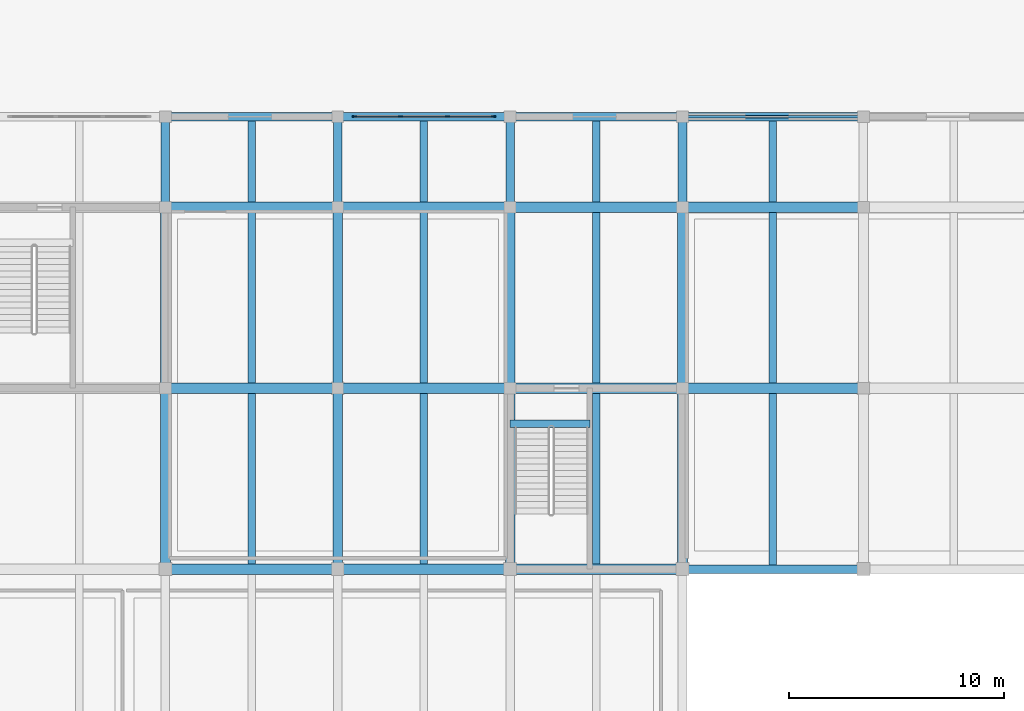
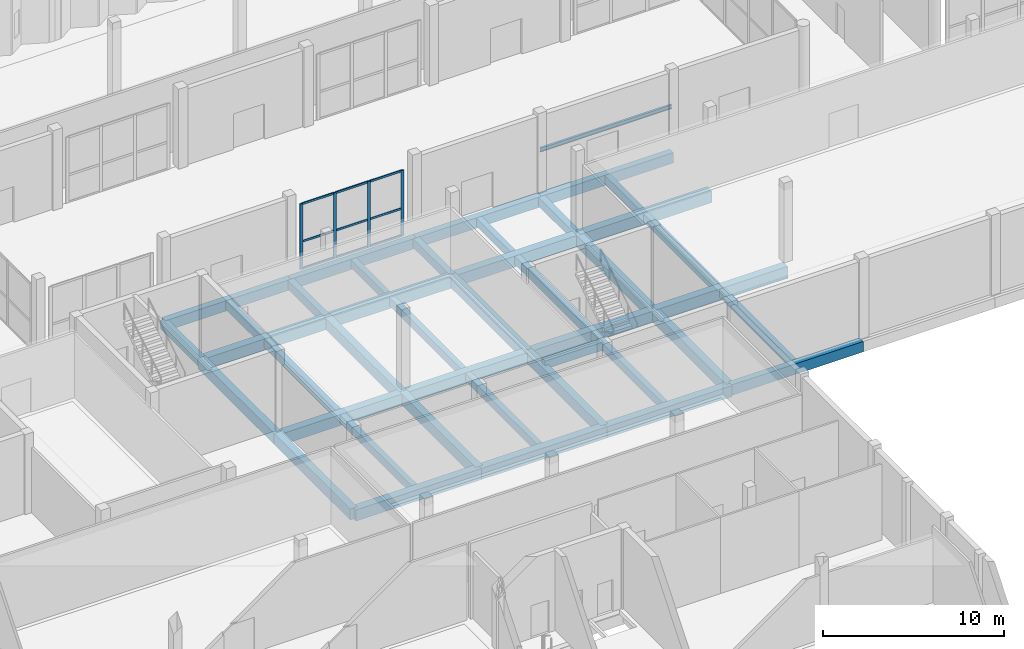
# One storey, part 11 of 41: 42 beams, 13 members, 1 element without a shape of its own.
"""IFC4 building model written with IfcOpenShell, lengths in metres."""

import ifcopenshell
import ifcopenshell.guid

model = None  # the IFC model being written
_history = None  # IfcOwnerHistory: only IFC2X3 demands one
_inside = {}  # id of a spatial element -> (the spatial element, [elements in it])
_under = {}  # id of a project, library or spatial element -> (it, [spatial elements below it])
_declared = {}  # id of a project -> (the project, [libraries it declares])
_typed = {}  # id of a type object -> (the type object, [elements of that type])
_made_of = {}  # id of a material, layer set ... -> (it, [elements and type objects made of it])


def new_model(schema):
    """Start an empty IFC model of exactly this schema.

    Asked for "IFC4X3", IfcOpenShell would pick the latest addendum, in which some entities
    have other attributes; the version numbers below select the first issue.
    IFC2X3 requires an IfcOwnerHistory on every rooted entity: one is made here for all.
    """
    global model, _history
    if schema == "IFC4X3":
        model = ifcopenshell.file(schema_version=(4, 3, 0, 0))
    else:
        model = ifcopenshell.file(schema=schema)
    _inside.clear()
    _under.clear()
    _declared.clear()
    _typed.clear()
    _made_of.clear()
    _history = None
    if model.schema == "IFC2X3":
        org = make("IfcOrganization", Name="unknown")
        user = make(
            "IfcPersonAndOrganization",
            ThePerson=make("IfcPerson", FamilyName="unknown"),
            TheOrganization=org,
        )
        app = make(
            "IfcApplication",
            ApplicationDeveloper=org,
            Version="unknown",
            ApplicationFullName="unknown",
            ApplicationIdentifier="unknown",
        )
        _history = make(
            "IfcOwnerHistory",
            OwningUser=user,
            OwningApplication=app,
            ChangeAction="ADDED",
            CreationDate=0,
        )
    return model


def make(cls, **values):
    """One entity of the class cls with the attributes given. An attribute that is None is left unset."""
    return model.create_entity(
        cls, **{name: value for name, value in values.items() if value is not None}
    )


def rooted(cls, **values):
    """An entity with a GlobalId (a new one), such as an element, a storey or a relation."""
    return make(cls, GlobalId=ifcopenshell.guid.new(), OwnerHistory=_history, **values)


def si_unit(unit_type, name, prefix=None):
    """IfcSIUnit, for example si_unit("LENGTHUNIT", "METRE", prefix="MILLI")."""
    return make("IfcSIUnit", UnitType=unit_type, Prefix=prefix, Name=name)


def assignment(units):
    """IfcUnitAssignment: the units of a project."""
    return None if units is None else make("IfcUnitAssignment", Units=units)


def point(xyz):
    """IfcCartesianPoint."""
    return None if xyz is None else make("IfcCartesianPoint", Coordinates=xyz)


def direction(xyz):
    """IfcDirection."""
    return None if xyz is None else make("IfcDirection", DirectionRatios=xyz)


def frame(location, z_axis=None, x_axis=None):
    """IfcAxis2Placement3D, a coordinate frame: its origin and axes. An axis left out is left unset."""
    return make(
        "IfcAxis2Placement3D",
        Location=point(location),
        Axis=direction(z_axis),
        RefDirection=direction(x_axis),
    )


def frame_2d(location, x_axis=None):
    """IfcAxis2Placement2D, a coordinate frame in the plane: its origin and x axis."""
    return make(
        "IfcAxis2Placement2D", Location=point(location), RefDirection=direction(x_axis)
    )


def origin():
    """The frame at (0, 0, 0) with its axes left unset."""
    return frame((0.0, 0.0, 0.0))


def origin_2d():
    """The frame at (0, 0) in the plane with its x axis left unset."""
    return frame_2d((0.0, 0.0))


def place(relative_to, where):
    """IfcLocalPlacement: puts the frame where relative to a parent placement (None: the world)."""
    return make(
        "IfcLocalPlacement", PlacementRelTo=relative_to, RelativePlacement=where
    )


def context(
    kind, dimensions, precision=None, world=None, true_north=None, identifier=None
):
    """IfcGeometricRepresentationContext, for example the 3D "Model" context."""
    return make(
        "IfcGeometricRepresentationContext",
        ContextIdentifier=identifier,
        ContextType=kind,
        CoordinateSpaceDimension=dimensions,
        Precision=precision,
        WorldCoordinateSystem=world,
        TrueNorth=true_north,
    )


def subcontext(parent, identifier, kind, view, scale=None):
    """IfcGeometricRepresentationSubContext, for example "Body" below "Model"."""
    return make(
        "IfcGeometricRepresentationSubContext",
        ContextIdentifier=identifier,
        ContextType=kind,
        ParentContext=parent,
        TargetScale=scale,
        TargetView=view,
    )


def project(units=None, contexts=None):
    """IfcProject with its units and contexts."""
    return rooted(
        "IfcProject",
        Name="project",
        RepresentationContexts=contexts,
        UnitsInContext=assignment(units),
    )


def spatial(cls, under=None, at=None, **own):
    """A site, building, storey or space (cls), placed at a placement, below another one or the project."""
    s = rooted(cls, ObjectPlacement=at, **own)
    if under is not None:
        _under.setdefault(under.id(), (under, []))[1].append(s)
    return s


def profile(cls, at=None, kind="AREA", **sizes):
    """A parametric profile (cls). Its sizes go by their IFC names, for example OverallWidth=200.0."""
    return make(cls, ProfileType=kind, Position=at, **sizes)


def rectangle(**sizes):
    """IfcRectangleProfileDef."""
    return profile("IfcRectangleProfileDef", **sizes)


def i_section(**sizes):
    """IfcIShapeProfileDef."""
    return profile("IfcIShapeProfileDef", **sizes)


def extrude(swept, where, along, depth):
    """IfcExtrudedAreaSolid: the profile swept, set in the frame where, extruded along a direction by depth."""
    return make(
        "IfcExtrudedAreaSolid",
        SweptArea=swept,
        Position=where,
        ExtrudedDirection=direction(along),
        Depth=depth,
    )


def shape(context_of_items, identifier, shape_type, items):
    """IfcShapeRepresentation: the items that make up one representation, for example the "Body"."""
    return make(
        "IfcShapeRepresentation",
        ContextOfItems=context_of_items,
        RepresentationIdentifier=identifier,
        RepresentationType=shape_type,
        Items=items,
    )


def material(Name=None, Category=None):
    """IfcMaterial."""
    return make("IfcMaterial", Name=Name, Category=Category)


def material_profile(
    of_material, cross_section, Name=None, Category=None, Priority=None
):
    """IfcMaterialProfile: a cross section and its material."""
    return make(
        "IfcMaterialProfile",
        Name=Name,
        Material=of_material,
        Profile=cross_section,
        Priority=Priority,
        Category=Category,
    )


def profile_set(profiles, Name=None, composite=None):
    """IfcMaterialProfileSet."""
    return make(
        "IfcMaterialProfileSet",
        Name=Name,
        MaterialProfiles=profiles,
        CompositeProfile=composite,
    )


def made_of(thing, what):
    """Note that an element or type object is made of a material, layer set ...; save() writes the relation."""
    if what is not None:
        _made_of.setdefault(what.id(), (what, []))[1].append(thing)
    return thing


def type_object(cls, material=None, **own):
    """A type object (cls), such as IfcWallType, which elements share."""
    return made_of(rooted(cls, **own), material)


def element(
    cls,
    number,
    at=None,
    inside=None,
    cuts=None,
    type_object=None,
    material=None,
    context=None,
    identifier="Body",
    shape_type=None,
    held_by="IfcProductDefinitionShape",
    body=None,
    shapes=None,
    **own,
):
    """One element of the class cls, such as IfcWall. Its Tag is "e" and its number.

    at: its placement. inside: the storey or other place that contains it. cuts: it is an
    opening in that element (IfcRelVoidsElement). A single representation is given by context,
    identifier, shape_type and body (its items); several are given by shapes. held_by: the class
    of the entity that holds the representations. save() writes the other relations.
    """
    e = rooted(cls, Tag="e%d" % number, ObjectPlacement=at, **own)
    if body is not None:
        shapes = [shape(context, identifier, shape_type, body)]
    if shapes is not None:
        e.Representation = make(held_by, Representations=shapes)
    if inside is not None:
        _inside.setdefault(inside.id(), (inside, []))[1].append(e)
    if cuts is not None:
        rooted(
            "IfcRelVoidsElement", RelatingBuildingElement=cuts, RelatedOpeningElement=e
        )
    if type_object is not None:
        _typed.setdefault(type_object.id(), (type_object, []))[1].append(e)
    return made_of(e, material)


def aggregate(whole, parts):
    """IfcRelAggregates: a whole, such as a stair, and the parts it consists of."""
    return rooted("IfcRelAggregates", RelatingObject=whole, RelatedObjects=parts)


def save(model, path):
    """Write the relations noted so far, then the file.

    IfcRelAggregates (storeys below a building ...), IfcRelContainedInSpatialStructure (elements
    in a storey), IfcRelDefinesByType, IfcRelAssociatesMaterial and IfcRelDeclares: one each for
    every whole, place, type object, material and project.
    """
    for whole, parts in _under.values():
        aggregate(whole, parts)
    for where, things in _inside.values():
        rooted(
            "IfcRelContainedInSpatialStructure",
            RelatedElements=things,
            RelatingStructure=where,
        )
    for kind, things in _typed.values():
        rooted("IfcRelDefinesByType", RelatedObjects=things, RelatingType=kind)
    for what, things in _made_of.values():
        rooted("IfcRelAssociatesMaterial", RelatedObjects=things, RelatingMaterial=what)
    for by, libraries in _declared.values():
        rooted("IfcRelDeclares", RelatingContext=by, RelatedDefinitions=libraries)
    model.write(path)


model = new_model("IFC4")

# Units and contexts
model_context = context("Model", 3, precision=1e-05, world=origin(), true_north=direction((0.0, 1.0)))
body_context = subcontext(model_context, "Body", "Model", "MODEL_VIEW")
ifc_project = project(units=[si_unit("LENGTHUNIT", "METRE"), si_unit("AREAUNIT", "SQUARE_METRE"), si_unit("VOLUMEUNIT", "CUBIC_METRE"), si_unit("PLANEANGLEUNIT", "RADIAN"), si_unit("MASSUNIT", "GRAM", prefix="KILO")], contexts=[model_context])

# Site, building, storey
site_placement = place(None, origin())
site = spatial("IfcSite", under=ifc_project, at=site_placement, CompositionType="ELEMENT")
building_placement = place(site_placement, origin())
building = spatial("IfcBuilding", under=site, at=building_placement, Name="Vharandega Faculty of Natural Sciences", CompositionType="ELEMENT")
storey_placement = place(building_placement, origin())
storey = spatial("IfcBuildingStorey", under=building, at=storey_placement, Name="L00", CompositionType="ELEMENT", Elevation=0.0)

# Curtain wall, members
ifc_material_1 = material(Name="Aluminium and solar-control glass curtain wall", Category="aluminium")
curtain_wall_type = type_object("IfcCurtainWallType", Name="Unitised Curtain Wall System CW-21", PredefinedType="NOTDEFINED", material=ifc_material_1)
curtain_wall_placement = place(storey_placement, origin())
curtain_wall = element("IfcCurtainWall", 1, at=curtain_wall_placement, inside=storey, type_object=curtain_wall_type, Name="Curtain Wall CW-L00-076", PredefinedType="NOTDEFINED")
ifc_material_2 = material(Name="Thermally broken aluminium 6063-T6", Category="aluminium")
ifc_material_profile_1 = material_profile(ifc_material_2, rectangle(XDim=0.070068359375, YDim=0.199951171875, at=origin_2d()), Name="ALU 70x200")
ifc_profile_set_1 = profile_set([ifc_material_profile_1], Name="Thermally broken aluminium 6063-T6")
member_type_1 = type_object("IfcMemberType", Name="CW Mullion 70x200", PredefinedType="MULLION", material=ifc_profile_set_1)
member_1_placement = place(storey_placement, frame((40.77490234375, 85.0, 0.0), z_axis=(0.0, 0.0, 1.0), x_axis=(0.0, 1.0, 0.0)))
member_1 = element("IfcMember", 2, at=member_1_placement, type_object=member_type_1, Name="CW-21 mullion 1", PredefinedType="MULLION", context=body_context, shape_type="SweptSolid", body=[
    extrude(rectangle(XDim=0.070068359375, YDim=0.199951171875, at=origin_2d()), origin(), (0.0, 0.0, 1.0), 4.419921875),
])
member_2_placement = place(storey_placement, frame((42.913330078125, 85.0, 0.0), z_axis=(0.0, 0.0, 1.0), x_axis=(0.0, 1.0, 0.0)))
member_2 = element("IfcMember", 3, at=member_2_placement, type_object=member_type_1, Name="CW-21 mullion 2", PredefinedType="MULLION", context=body_context, shape_type="SweptSolid", body=[
    extrude(rectangle(XDim=0.070068359375, YDim=0.199951171875, at=origin_2d()), origin(), (0.0, 0.0, 1.0), 4.419921875),
])
member_3_placement = place(storey_placement, frame((45.086669921875, 85.0, 0.0), z_axis=(0.0, 0.0, 1.0), x_axis=(0.0, 1.0, 0.0)))
member_3 = element("IfcMember", 4, at=member_3_placement, type_object=member_type_1, Name="CW-21 mullion 3", PredefinedType="MULLION", context=body_context, shape_type="SweptSolid", body=[
    extrude(rectangle(XDim=0.070068359375, YDim=0.199951171875, at=origin_2d()), origin(), (0.0, 0.0, 1.0), 4.419921875),
])
member_4_placement = place(storey_placement, frame((47.22509765625, 85.0, 0.0), z_axis=(0.0, 0.0, 1.0), x_axis=(0.0, 1.0, 0.0)))
member_4 = element("IfcMember", 5, at=member_4_placement, type_object=member_type_1, Name="CW-21 mullion 4", PredefinedType="MULLION", context=body_context, shape_type="SweptSolid", body=[
    extrude(rectangle(XDim=0.070068359375, YDim=0.199951171875, at=origin_2d()), origin(), (0.0, 0.0, 1.0), 4.419921875),
])
ifc_material_3 = material(Name="Thermally broken aluminium 6063-T6", Category="aluminium")
ifc_material_profile_2 = material_profile(ifc_material_3, rectangle(XDim=0.06494140625, YDim=0.135009765625, at=origin_2d()), Name="ALU 65x135")
ifc_profile_set_2 = profile_set([ifc_material_profile_2], Name="Thermally broken aluminium 6063-T6")
member_type_2 = type_object("IfcMemberType", Name="CW Transom 65x135", PredefinedType="USERDEFINED", material=ifc_profile_set_2)
member_5_placement = place(storey_placement, frame((40.81005859375, 85.0, 0.032470703125), z_axis=(1.0, 0.0, 0.0), x_axis=(0.0, 1.0, 0.0)))
member_5 = element("IfcMember", 6, at=member_5_placement, type_object=member_type_2, Name="CW-21 transom 1.1", ObjectType="TRANSOM", PredefinedType="USERDEFINED", context=body_context, shape_type="SweptSolid", body=[
    extrude(rectangle(XDim=0.06494140625, YDim=0.135009765625, at=origin_2d()), origin(), (0.0, 0.0, 1.0), 2.068359375),
])
member_6_placement = place(storey_placement, frame((40.81005859375, 85.0, 1.8564453125), z_axis=(1.0, 0.0, 0.0), x_axis=(0.0, 1.0, 0.0)))
member_6 = element("IfcMember", 7, at=member_6_placement, type_object=member_type_2, Name="CW-21 transom 1.2", ObjectType="TRANSOM", PredefinedType="USERDEFINED", context=body_context, shape_type="SweptSolid", body=[
    extrude(rectangle(XDim=0.06494140625, YDim=0.135009765625, at=origin_2d()), origin(), (0.0, 0.0, 1.0), 2.068359375),
])
member_7_placement = place(storey_placement, frame((40.81005859375, 85.0, 4.387451171875), z_axis=(1.0, 0.0, 0.0), x_axis=(0.0, 1.0, 0.0)))
member_7 = element("IfcMember", 8, at=member_7_placement, type_object=member_type_2, Name="CW-21 transom 1.3", ObjectType="TRANSOM", PredefinedType="USERDEFINED", context=body_context, shape_type="SweptSolid", body=[
    extrude(rectangle(XDim=0.06494140625, YDim=0.135009765625, at=origin_2d()), origin(), (0.0, 0.0, 1.0), 2.068359375),
])
member_8_placement = place(storey_placement, frame((42.9482421875, 85.0, 0.032470703125), z_axis=(1.0, 0.0, 0.0), x_axis=(0.0, 1.0, 0.0)))
member_8 = element("IfcMember", 9, at=member_8_placement, type_object=member_type_2, Name="CW-21 transom 2.1", ObjectType="TRANSOM", PredefinedType="USERDEFINED", context=body_context, shape_type="SweptSolid", body=[
    extrude(rectangle(XDim=0.06494140625, YDim=0.135009765625, at=origin_2d()), origin(), (0.0, 0.0, 1.0), 2.103515625),
])
member_9_placement = place(storey_placement, frame((42.9482421875, 85.0, 1.8564453125), z_axis=(1.0, 0.0, 0.0), x_axis=(0.0, 1.0, 0.0)))
member_9 = element("IfcMember", 10, at=member_9_placement, type_object=member_type_2, Name="CW-21 transom 2.2", ObjectType="TRANSOM", PredefinedType="USERDEFINED", context=body_context, shape_type="SweptSolid", body=[
    extrude(rectangle(XDim=0.06494140625, YDim=0.135009765625, at=origin_2d()), origin(), (0.0, 0.0, 1.0), 2.103515625),
])
member_10_placement = place(storey_placement, frame((42.9482421875, 85.0, 4.387451171875), z_axis=(1.0, 0.0, 0.0), x_axis=(0.0, 1.0, 0.0)))
member_10 = element("IfcMember", 11, at=member_10_placement, type_object=member_type_2, Name="CW-21 transom 2.3", ObjectType="TRANSOM", PredefinedType="USERDEFINED", context=body_context, shape_type="SweptSolid", body=[
    extrude(rectangle(XDim=0.06494140625, YDim=0.135009765625, at=origin_2d()), origin(), (0.0, 0.0, 1.0), 2.103515625),
])
member_11_placement = place(storey_placement, frame((45.12158203125, 85.0, 0.032470703125), z_axis=(1.0, 0.0, 0.0), x_axis=(0.0, 1.0, 0.0)))
member_11 = element("IfcMember", 12, at=member_11_placement, type_object=member_type_2, Name="CW-21 transom 3.1", ObjectType="TRANSOM", PredefinedType="USERDEFINED", context=body_context, shape_type="SweptSolid", body=[
    extrude(rectangle(XDim=0.06494140625, YDim=0.135009765625, at=origin_2d()), origin(), (0.0, 0.0, 1.0), 2.068359375),
])
member_12_placement = place(storey_placement, frame((45.12158203125, 85.0, 1.8564453125), z_axis=(1.0, 0.0, 0.0), x_axis=(0.0, 1.0, 0.0)))
member_12 = element("IfcMember", 13, at=member_12_placement, type_object=member_type_2, Name="CW-21 transom 3.2", ObjectType="TRANSOM", PredefinedType="USERDEFINED", context=body_context, shape_type="SweptSolid", body=[
    extrude(rectangle(XDim=0.06494140625, YDim=0.135009765625, at=origin_2d()), origin(), (0.0, 0.0, 1.0), 2.068359375),
])
member_13_placement = place(storey_placement, frame((45.12158203125, 85.0, 4.387451171875), z_axis=(1.0, 0.0, 0.0), x_axis=(0.0, 1.0, 0.0)))
member_13 = element("IfcMember", 14, at=member_13_placement, type_object=member_type_2, Name="CW-21 transom 3.3", ObjectType="TRANSOM", PredefinedType="USERDEFINED", context=body_context, shape_type="SweptSolid", body=[
    extrude(rectangle(XDim=0.06494140625, YDim=0.135009765625, at=origin_2d()), origin(), (0.0, 0.0, 1.0), 2.068359375),
])
aggregate(curtain_wall, [member_1, member_2, member_3, member_4, member_5, member_6, member_7, member_8, member_9, member_10, member_11, member_12, member_13])

# Beams
ifc_material_4 = material(Name="Concrete C40/50", Category="concrete")
ifc_material_profile_3 = material_profile(ifc_material_4, rectangle(XDim=0.5, YDim=0.800048828125, at=origin_2d()), Name="RC 500x800")
ifc_profile_set_3 = profile_set([ifc_material_profile_3], Name="Concrete C40/50")
beam_type_1 = type_object("IfcBeamType", Name="Podium Heavy Girder 500x800", PredefinedType="BEAM", material=ifc_profile_set_3)
for number, where, z_axis, x_axis, name in (
    (15, (56.0, 72.39990234375, -0.699951171875), (1.0, 0.0, 0.0), (0.0, 1.0, 0.0), "Beam L00 K/8-9"),
    (16, (56.0, 80.800048828125, -0.699951171875), (1.0, 0.0, 0.0), (0.0, 1.0, 0.0), "Beam L00 L/8-9"),
):
    element("IfcBeam", number, at=place(storey_placement, frame(where, z_axis=z_axis, x_axis=x_axis)), inside=storey, type_object=beam_type_1, Name=name, PredefinedType="BEAM", context=body_context, shape_type="SweptSolid", body=[
        extrude(rectangle(XDim=0.5, YDim=0.800048828125, at=origin_2d()), origin(), (0.0, 0.0, 1.0), 8.39990234375),
    ])
ifc_material_5 = material(Name="Concrete C40/50", Category="concrete")
ifc_material_profile_4 = material_profile(ifc_material_5, rectangle(XDim=0.5, YDim=0.75, at=origin_2d()), Name="RC 500x750")
ifc_profile_set_4 = profile_set([ifc_material_profile_4], Name="Concrete C40/50")
beam_type_2 = type_object("IfcBeamType", Name="Podium Primary Beam 500x750", PredefinedType="BEAM", material=ifc_profile_set_4)
for number, where, z_axis, x_axis, name in (
    (17, (32.0, 64.0, -0.675048828125), (1.0, 0.0, 0.0), (0.0, 1.0, 0.0), "Beam L00 J/5-6"),
    (18, (40.0, 64.0, -0.675048828125), (1.0, 0.0, 0.0), (0.0, 1.0, 0.0), "Beam L00 J/6-7"),
    (19, (48.0, 64.0, -0.675048828125), (1.0, 0.0, 0.0), (0.0, 1.0, 0.0), "Beam L00 J/7-8"),
    (20, (32.0, 72.39990234375, -0.675048828125), (1.0, 0.0, 0.0), (0.0, 1.0, 0.0), "Beam L00 K/5-6"),
    (21, (40.0, 72.39990234375, -0.675048828125), (1.0, 0.0, 0.0), (0.0, 1.0, 0.0), "Beam L00 K/6-7"),
    (22, (48.0, 72.39990234375, -0.675048828125), (1.0, 0.0, 0.0), (0.0, 1.0, 0.0), "Beam L00 K/7-8"),
    (23, (32.0, 80.800048828125, -0.675048828125), (1.0, 0.0, 0.0), (0.0, 1.0, 0.0), "Beam L00 L/5-6"),
    (24, (40.0, 80.800048828125, -0.675048828125), (1.0, 0.0, 0.0), (0.0, 1.0, 0.0), "Beam L00 L/6-7"),
    (25, (48.0, 80.800048828125, -0.675048828125), (1.0, 0.0, 0.0), (0.0, 1.0, 0.0), "Beam L00 L/7-8"),
):
    element("IfcBeam", number, at=place(storey_placement, frame(where, z_axis=z_axis, x_axis=x_axis)), inside=storey, type_object=beam_type_2, Name=name, PredefinedType="BEAM", context=body_context, shape_type="SweptSolid", body=[
        extrude(rectangle(XDim=0.5, YDim=0.75, at=origin_2d()), origin(), (0.0, 0.0, 1.0), 8.0),
    ])
ifc_material_6 = material(Name="Concrete C40/50", Category="concrete")
ifc_material_profile_5 = material_profile(ifc_material_6, rectangle(XDim=0.39990234375, YDim=0.60009765625, at=origin_2d()), Name="RC 400x600")
ifc_profile_set_5 = profile_set([ifc_material_profile_5], Name="Concrete C40/50")
beam_type_3 = type_object("IfcBeamType", Name="Podium Rib Beam 400x600", PredefinedType="BEAM", material=ifc_profile_set_5)
for number, where, z_axis, x_axis, name in (
    (26, (32.0, 80.800048828125, -0.60009765625), (0.0, 1.0, 0.0), (-1.0, 0.0, 0.0), "Beam L00 5/L-M"),
    (27, (40.0, 80.800048828125, -0.60009765625), (0.0, 1.0, 0.0), (-1.0, 0.0, 0.0), "Beam L00 6/L-M"),
    (28, (48.0, 80.800048828125, -0.60009765625), (0.0, 1.0, 0.0), (-1.0, 0.0, 0.0), "Beam L00 7/L-M"),
    (29, (56.0, 80.800048828125, -0.60009765625), (0.0, 1.0, 0.0), (-1.0, 0.0, 0.0), "Beam L00 8/L-M"),
):
    element("IfcBeam", number, at=place(storey_placement, frame(where, z_axis=z_axis, x_axis=x_axis)), inside=storey, type_object=beam_type_3, Name=name, PredefinedType="BEAM", context=body_context, shape_type="SweptSolid", body=[
        extrude(rectangle(XDim=0.39990234375, YDim=0.60009765625, at=origin_2d()), origin(), (0.0, 0.0, 1.0), 4.199951171875),
    ])
ifc_material_7 = material(Name="Concrete C40/50", Category="concrete")
ifc_material_profile_6 = material_profile(ifc_material_7, rectangle(XDim=0.35009765625, YDim=0.550048828125, at=origin_2d()), Name="RC 350x550")
ifc_profile_set_6 = profile_set([ifc_material_profile_6], Name="Concrete C40/50")
beam_type_4 = type_object("IfcBeamType", Name="Podium Secondary Beam 350x550", PredefinedType="JOIST", material=ifc_profile_set_6)
beam_1_placement = place(storey_placement, frame((36.0, 64.25, -0.574951171875), z_axis=(0.0, 1.0, 0.0), x_axis=(-1.0, 0.0, 0.0)))
element("IfcBeam", 30, at=beam_1_placement, inside=storey, type_object=beam_type_4, Name="Secondary Joist L00 5-6/J-K", PredefinedType="JOIST", context=body_context, shape_type="SweptSolid", body=[
    extrude(rectangle(XDim=0.35009765625, YDim=0.550048828125, at=origin_2d()), origin(), (0.0, 0.0, 1.0), 7.89990234375),
])
beam_2_placement = place(storey_placement, frame((36.0, 72.64990234375, -0.574951171875), z_axis=(0.0, 1.0, 0.0), x_axis=(-1.0, 0.0, 0.0)))
element("IfcBeam", 31, at=beam_2_placement, inside=storey, type_object=beam_type_4, Name="Secondary Joist L00 5-6/K-L", PredefinedType="JOIST", context=body_context, shape_type="SweptSolid", body=[
    extrude(rectangle(XDim=0.35009765625, YDim=0.550048828125, at=origin_2d()), origin(), (0.0, 0.0, 1.0), 7.900146484375),
])
beam_3_placement = place(storey_placement, frame((36.0, 81.050048828125, -0.574951171875), z_axis=(0.0, 1.0, 0.0), x_axis=(-1.0, 0.0, 0.0)))
element("IfcBeam", 32, at=beam_3_placement, inside=storey, type_object=beam_type_4, Name="Secondary Joist L00 5-6/L-M", PredefinedType="JOIST", context=body_context, shape_type="SweptSolid", body=[
    extrude(rectangle(XDim=0.35009765625, YDim=0.550048828125, at=origin_2d()), origin(), (0.0, 0.0, 1.0), 3.75),
])
beam_4_placement = place(storey_placement, frame((44.0, 64.25, -0.574951171875), z_axis=(0.0, 1.0, 0.0), x_axis=(-1.0, 0.0, 0.0)))
element("IfcBeam", 33, at=beam_4_placement, inside=storey, type_object=beam_type_4, Name="Secondary Joist L00 6-7/J-K", PredefinedType="JOIST", context=body_context, shape_type="SweptSolid", body=[
    extrude(rectangle(XDim=0.35009765625, YDim=0.550048828125, at=origin_2d()), origin(), (0.0, 0.0, 1.0), 7.89990234375),
])
beam_5_placement = place(storey_placement, frame((44.0, 72.64990234375, -0.574951171875), z_axis=(0.0, 1.0, 0.0), x_axis=(-1.0, 0.0, 0.0)))
element("IfcBeam", 34, at=beam_5_placement, inside=storey, type_object=beam_type_4, Name="Secondary Joist L00 6-7/K-L", PredefinedType="JOIST", context=body_context, shape_type="SweptSolid", body=[
    extrude(rectangle(XDim=0.35009765625, YDim=0.550048828125, at=origin_2d()), origin(), (0.0, 0.0, 1.0), 7.900146484375),
])
beam_6_placement = place(storey_placement, frame((44.0, 81.050048828125, -0.574951171875), z_axis=(0.0, 1.0, 0.0), x_axis=(-1.0, 0.0, 0.0)))
element("IfcBeam", 35, at=beam_6_placement, inside=storey, type_object=beam_type_4, Name="Secondary Joist L00 6-7/L-M", PredefinedType="JOIST", context=body_context, shape_type="SweptSolid", body=[
    extrude(rectangle(XDim=0.35009765625, YDim=0.550048828125, at=origin_2d()), origin(), (0.0, 0.0, 1.0), 3.75),
])
beam_7_placement = place(storey_placement, frame((52.0, 64.25, -0.574951171875), z_axis=(0.0, 1.0, 0.0), x_axis=(-1.0, 0.0, 0.0)))
element("IfcBeam", 36, at=beam_7_placement, inside=storey, type_object=beam_type_4, Name="Secondary Joist L00 7-8/J-K", PredefinedType="JOIST", context=body_context, shape_type="SweptSolid", body=[
    extrude(rectangle(XDim=0.35009765625, YDim=0.550048828125, at=origin_2d()), origin(), (0.0, 0.0, 1.0), 7.89990234375),
])
beam_8_placement = place(storey_placement, frame((52.0, 72.64990234375, -0.574951171875), z_axis=(0.0, 1.0, 0.0), x_axis=(-1.0, 0.0, 0.0)))
element("IfcBeam", 37, at=beam_8_placement, inside=storey, type_object=beam_type_4, Name="Secondary Joist L00 7-8/K-L", PredefinedType="JOIST", context=body_context, shape_type="SweptSolid", body=[
    extrude(rectangle(XDim=0.35009765625, YDim=0.550048828125, at=origin_2d()), origin(), (0.0, 0.0, 1.0), 7.900146484375),
])
beam_9_placement = place(storey_placement, frame((52.0, 81.050048828125, -0.574951171875), z_axis=(0.0, 1.0, 0.0), x_axis=(-1.0, 0.0, 0.0)))
element("IfcBeam", 38, at=beam_9_placement, inside=storey, type_object=beam_type_4, Name="Secondary Joist L00 7-8/L-M", PredefinedType="JOIST", context=body_context, shape_type="SweptSolid", body=[
    extrude(rectangle(XDim=0.35009765625, YDim=0.550048828125, at=origin_2d()), origin(), (0.0, 0.0, 1.0), 3.75),
])
beam_10_placement = place(storey_placement, frame((60.199951171875, 64.199951171875, -0.574951171875), z_axis=(0.0, 1.0, 0.0), x_axis=(-1.0, 0.0, 0.0)))
element("IfcBeam", 39, at=beam_10_placement, inside=storey, type_object=beam_type_4, Name="Secondary Joist L00 8-9/J-K", PredefinedType="JOIST", context=body_context, shape_type="SweptSolid", body=[
    extrude(rectangle(XDim=0.35009765625, YDim=0.550048828125, at=origin_2d()), origin(), (0.0, 0.0, 1.0), 7.949951171875),
])
beam_11_placement = place(storey_placement, frame((60.199951171875, 72.64990234375, -0.574951171875), z_axis=(0.0, 1.0, 0.0), x_axis=(-1.0, 0.0, 0.0)))
element("IfcBeam", 40, at=beam_11_placement, inside=storey, type_object=beam_type_4, Name="Secondary Joist L00 8-9/K-L", PredefinedType="JOIST", context=body_context, shape_type="SweptSolid", body=[
    extrude(rectangle(XDim=0.35009765625, YDim=0.550048828125, at=origin_2d()), origin(), (0.0, 0.0, 1.0), 7.900146484375),
])
beam_12_placement = place(storey_placement, frame((60.199951171875, 81.050048828125, -0.574951171875), z_axis=(0.0, 1.0, 0.0), x_axis=(-1.0, 0.0, 0.0)))
element("IfcBeam", 41, at=beam_12_placement, inside=storey, type_object=beam_type_4, Name="Secondary Joist L00 8-9/L-M", PredefinedType="JOIST", context=body_context, shape_type="SweptSolid", body=[
    extrude(rectangle(XDim=0.35009765625, YDim=0.550048828125, at=origin_2d()), origin(), (0.0, 0.0, 1.0), 3.75),
])
ifc_material_8 = material(Name="Concrete C40/50", Category="concrete")
ifc_material_profile_7 = material_profile(ifc_material_8, rectangle(XDim=0.39990234375, YDim=0.699951171875, at=origin_2d()), Name="RC 400x700")
ifc_profile_set_7 = profile_set([ifc_material_profile_7], Name="Concrete C40/50")
beam_type_5 = type_object("IfcBeamType", Name="Podium Spandrel Beam 400x700", PredefinedType="SPANDREL", material=ifc_profile_set_7)
beam_13_placement = place(storey_placement, frame((56.0, 64.0, -0.64990234375), z_axis=(1.0, 0.0, 0.0), x_axis=(0.0, 1.0, 0.0)))
element("IfcBeam", 42, at=beam_13_placement, inside=storey, type_object=beam_type_5, Name="Beam L00 J/8-9", PredefinedType="SPANDREL", context=body_context, shape_type="SweptSolid", body=[
    extrude(rectangle(XDim=0.39990234375, YDim=0.699951171875, at=origin_2d()), origin(), (0.0, 0.0, 1.0), 8.39990234375),
])
for number, where, z_axis, x_axis, name in (
    (43, (32.0, 85.0, -0.64990234375), (1.0, 0.0, 0.0), (0.0, 1.0, 0.0), "Beam L00 M/5-6"),
    (44, (40.0, 85.0, -0.64990234375), (1.0, 0.0, 0.0), (0.0, 1.0, 0.0), "Beam L00 M/6-7"),
    (45, (48.0, 85.0, -0.64990234375), (1.0, 0.0, 0.0), (0.0, 1.0, 0.0), "Beam L00 M/7-8"),
):
    element("IfcBeam", number, at=place(storey_placement, frame(where, z_axis=z_axis, x_axis=x_axis)), inside=storey, type_object=beam_type_5, Name=name, PredefinedType="SPANDREL", context=body_context, shape_type="SweptSolid", body=[
        extrude(rectangle(XDim=0.39990234375, YDim=0.699951171875, at=origin_2d()), origin(), (0.0, 0.0, 1.0), 8.0),
    ])
beam_14_placement = place(storey_placement, frame((56.0, 85.0, -0.64990234375), z_axis=(1.0, 0.0, 0.0), x_axis=(0.0, 1.0, 0.0)))
element("IfcBeam", 46, at=beam_14_placement, inside=storey, type_object=beam_type_5, Name="Beam L00 M/8-9", PredefinedType="SPANDREL", context=body_context, shape_type="SweptSolid", body=[
    extrude(rectangle(XDim=0.39990234375, YDim=0.699951171875, at=origin_2d()), origin(), (0.0, 0.0, 1.0), 8.39990234375),
])
ifc_material_9 = material(Name="Concrete C40/50", Category="concrete")
ifc_material_profile_8 = material_profile(ifc_material_9, rectangle(XDim=0.449951171875, YDim=0.75, at=origin_2d()), Name="RC 450x750")
ifc_profile_set_8 = profile_set([ifc_material_profile_8], Name="Concrete C40/50")
beam_type_6 = type_object("IfcBeamType", Name="Podium Spine Beam 450x750", PredefinedType="BEAM", material=ifc_profile_set_8)
beam_15_placement = place(storey_placement, frame((32.0, 64.0, -0.675048828125), z_axis=(0.0, 1.0, 0.0), x_axis=(-1.0, 0.0, 0.0)))
element("IfcBeam", 47, at=beam_15_placement, inside=storey, type_object=beam_type_6, Name="Beam L00 5/J-K", PredefinedType="BEAM", context=body_context, shape_type="SweptSolid", body=[
    extrude(rectangle(XDim=0.449951171875, YDim=0.75, at=origin_2d()), origin(), (0.0, 0.0, 1.0), 8.39990234375),
])
beam_16_placement = place(storey_placement, frame((32.0, 72.39990234375, -0.675048828125), z_axis=(0.0, 1.0, 0.0), x_axis=(-1.0, 0.0, 0.0)))
element("IfcBeam", 48, at=beam_16_placement, inside=storey, type_object=beam_type_6, Name="Beam L00 5/K-L", PredefinedType="BEAM", context=body_context, shape_type="SweptSolid", body=[
    extrude(rectangle(XDim=0.449951171875, YDim=0.75, at=origin_2d()), origin(), (0.0, 0.0, 1.0), 8.400146484375),
])
beam_17_placement = place(storey_placement, frame((40.0, 64.0, -0.675048828125), z_axis=(0.0, 1.0, 0.0), x_axis=(-1.0, 0.0, 0.0)))
element("IfcBeam", 49, at=beam_17_placement, inside=storey, type_object=beam_type_6, Name="Beam L00 6/J-K", PredefinedType="BEAM", context=body_context, shape_type="SweptSolid", body=[
    extrude(rectangle(XDim=0.449951171875, YDim=0.75, at=origin_2d()), origin(), (0.0, 0.0, 1.0), 8.39990234375),
])
beam_18_placement = place(storey_placement, frame((40.0, 72.39990234375, -0.675048828125), z_axis=(0.0, 1.0, 0.0), x_axis=(-1.0, 0.0, 0.0)))
element("IfcBeam", 50, at=beam_18_placement, inside=storey, type_object=beam_type_6, Name="Beam L00 6/K-L", PredefinedType="BEAM", context=body_context, shape_type="SweptSolid", body=[
    extrude(rectangle(XDim=0.449951171875, YDim=0.75, at=origin_2d()), origin(), (0.0, 0.0, 1.0), 8.400146484375),
])
beam_19_placement = place(storey_placement, frame((48.0, 64.0, -0.675048828125), z_axis=(0.0, 1.0, 0.0), x_axis=(-1.0, 0.0, 0.0)))
element("IfcBeam", 51, at=beam_19_placement, inside=storey, type_object=beam_type_6, Name="Beam L00 7/J-K", PredefinedType="BEAM", context=body_context, shape_type="SweptSolid", body=[
    extrude(rectangle(XDim=0.449951171875, YDim=0.75, at=origin_2d()), origin(), (0.0, 0.0, 1.0), 8.39990234375),
])
beam_20_placement = place(storey_placement, frame((48.0, 72.39990234375, -0.675048828125), z_axis=(0.0, 1.0, 0.0), x_axis=(-1.0, 0.0, 0.0)))
element("IfcBeam", 52, at=beam_20_placement, inside=storey, type_object=beam_type_6, Name="Beam L00 7/K-L", PredefinedType="BEAM", context=body_context, shape_type="SweptSolid", body=[
    extrude(rectangle(XDim=0.449951171875, YDim=0.75, at=origin_2d()), origin(), (0.0, 0.0, 1.0), 8.400146484375),
])
beam_21_placement = place(storey_placement, frame((56.0, 64.0, -0.675048828125), z_axis=(0.0, 1.0, 0.0), x_axis=(-1.0, 0.0, 0.0)))
element("IfcBeam", 53, at=beam_21_placement, inside=storey, type_object=beam_type_6, Name="Beam L00 8/J-K", PredefinedType="BEAM", context=body_context, shape_type="SweptSolid", body=[
    extrude(rectangle(XDim=0.449951171875, YDim=0.75, at=origin_2d()), origin(), (0.0, 0.0, 1.0), 8.39990234375),
])
beam_22_placement = place(storey_placement, frame((56.0, 72.39990234375, -0.675048828125), z_axis=(0.0, 1.0, 0.0), x_axis=(-1.0, 0.0, 0.0)))
element("IfcBeam", 54, at=beam_22_placement, inside=storey, type_object=beam_type_6, Name="Beam L00 8/K-L", PredefinedType="BEAM", context=body_context, shape_type="SweptSolid", body=[
    extrude(rectangle(XDim=0.449951171875, YDim=0.75, at=origin_2d()), origin(), (0.0, 0.0, 1.0), 8.400146484375),
])
ifc_material_10 = material(Name="Concrete C40/50", Category="concrete")
ifc_material_profile_9 = material_profile(ifc_material_10, rectangle(XDim=0.35009765625, YDim=0.550048828125, at=origin_2d()), Name="RC 350x550")
ifc_profile_set_9 = profile_set([ifc_material_profile_9], Name="Concrete C40/50")
beam_type_7 = type_object("IfcBeamType", Name="Stair Header Trimmer Beam 350x550", PredefinedType="BEAM", material=ifc_profile_set_9)
beam_23_placement = place(storey_placement, frame((48.0, 70.75, -0.27490234375), z_axis=(1.0, 0.0, 0.0), x_axis=(0.0, 1.0, 0.0)))
element("IfcBeam", 55, at=beam_23_placement, inside=storey, type_object=beam_type_7, Name="Stair Landing Trimmer Beam C5 L00", PredefinedType="BEAM", context=body_context, shape_type="SweptSolid", body=[
    extrude(rectangle(XDim=0.35009765625, YDim=0.550048828125, at=origin_2d()), origin(), (0.0, 0.0, 1.0), 3.699951171875),
])
ifc_material_11 = material(Name="Steel S355", Category="steel")
ifc_material_profile_10 = material_profile(ifc_material_11, i_section(OverallWidth=0.135009765625, OverallDepth=0.27001953125, WebThickness=0.006591796875, FlangeThickness=0.01025390625, FilletRadius=0.014892578125, at=origin_2d()), Name="IPE 270")
ifc_profile_set_10 = profile_set([ifc_material_profile_10], Name="Steel S355")
beam_type_8 = type_object("IfcBeamType", Name="Steel Opening Lintel IPE 270", PredefinedType="LINTEL", material=ifc_profile_set_10)
beam_24_placement = place(storey_placement, frame((56.0, 85.0, 2.715087890625), z_axis=(1.0, 0.0, 0.0), x_axis=(0.0, 1.0, 0.0)))
element("IfcBeam", 56, at=beam_24_placement, inside=storey, type_object=beam_type_8, Name="Opening Lintel L00-03", PredefinedType="LINTEL", context=body_context, shape_type="SweptSolid", body=[
    extrude(i_section(OverallWidth=0.135009765625, OverallDepth=0.27001953125, WebThickness=0.006591796875, FlangeThickness=0.01025390625, FilletRadius=0.014892578125, at=origin_2d()), origin(), (0.0, 0.0, 1.0), 8.39990234375),
])

save(model, "model.ifc")
